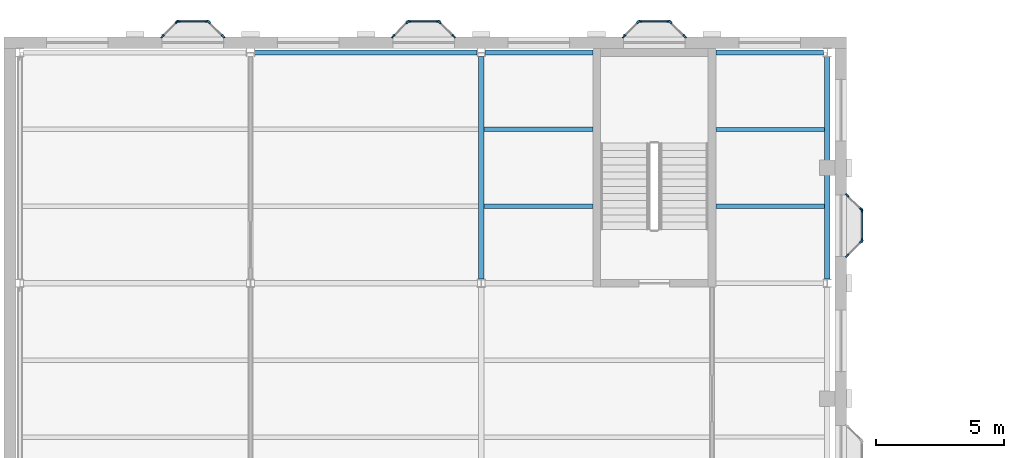
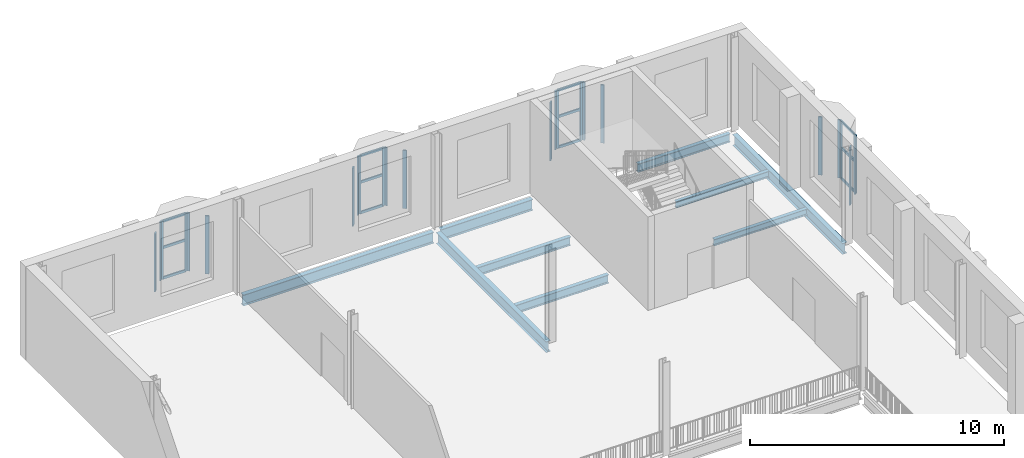
# One storey, part 26 of 74: 36 members, 9 beams, 12 elements without a shape of their own.
"""IFC4 building model written with IfcOpenShell, lengths in metres."""

from ifc_helpers import new_model, si_unit, direction, frame, origin, origin_2d, place, context, subcontext, project, spatial, rectangle, i_section, extrude, material, layer, layer_set, material_profile, profile_set, type_object, element, aggregate, save


model = new_model("IFC4")

# Units and contexts
model_context = context("Model", 3, precision=1e-05, world=origin(), true_north=direction((0.0, 1.0)))
body_context = subcontext(model_context, "Body", "Model", "MODEL_VIEW")
ifc_project = project(units=[si_unit("LENGTHUNIT", "METRE"), si_unit("AREAUNIT", "SQUARE_METRE"), si_unit("VOLUMEUNIT", "CUBIC_METRE"), si_unit("PLANEANGLEUNIT", "RADIAN"), si_unit("MASSUNIT", "GRAM", prefix="KILO")], contexts=[model_context])

# Site, building, storey
site_placement = place(None, origin())
site = spatial("IfcSite", under=ifc_project, at=site_placement, CompositionType="ELEMENT")
building_placement = place(site_placement, origin())
building = spatial("IfcBuilding", under=site, at=building_placement, Name="Hortulan Conservatory and Botanical Research Centre", CompositionType="ELEMENT")
storey_placement = place(building_placement, frame((0.0, 0.0, 6.0)))
storey = spatial("IfcBuildingStorey", under=building, at=storey_placement, Name="L01", CompositionType="ELEMENT", Elevation=6.0)

# Curtain wall, members
ifc_material_1 = material(Name="Bronze-finished aluminium", Category="aluminium")
ifc_layer = layer(ifc_material_1, 0.10009765625)
ifc_layer_set = layer_set([ifc_layer], Name="Oriel Curtain Wall 1350 module")
curtain_wall_type = type_object("IfcCurtainWallType", Name="Oriel Curtain Wall 1350 module", PredefinedType="NOTDEFINED", material=ifc_layer_set)
curtain_wall_1_placement = place(storey_placement, origin())
curtain_wall_1 = element("IfcCurtainWall", 1, at=curtain_wall_1_placement, inside=storey, type_object=curtain_wall_type, Name="Oriel glazing", PredefinedType="NOTDEFINED")
ifc_material_profile_1 = material_profile(ifc_material_1, rectangle(XDim=0.06005859375, YDim=0.159912109375, at=origin_2d()), Name="Bronze Mullion 60x160")
ifc_profile_set_1 = profile_set([ifc_material_profile_1], Name="Bronze-finished aluminium")
member_type_1 = type_object("IfcMemberType", Name="Bronze Mullion 60x160", PredefinedType="MULLION", material=ifc_profile_set_1)
member_1_placement = place(storey_placement, frame((5.5712890625, 72.631591796875, 0.89990234375), z_axis=(0.0, 0.0, 1.0), x_axis=(-0.707106781187, 0.707106781187, 0.0)))
member_1 = element("IfcMember", 2, at=member_1_placement, type_object=member_type_1, Name="CW2 mullion 1", PredefinedType="MULLION", context=body_context, shape_type="SweptSolid", body=[
    extrude(rectangle(XDim=0.06005859375, YDim=0.159912109375, at=origin_2d()), origin(), (0.0, 0.0, 1.0), 2.800048828125),
])
member_2_placement = place(storey_placement, frame((6.12890625, 73.189208984375, 0.89990234375), z_axis=(0.0, 0.0, 1.0), x_axis=(-0.707106781187, 0.707106781187, 0.0)))
member_2 = element("IfcMember", 3, at=member_2_placement, type_object=member_type_1, Name="CW2 mullion 2", PredefinedType="MULLION", context=body_context, shape_type="SweptSolid", body=[
    extrude(rectangle(XDim=0.06005859375, YDim=0.159912109375, at=origin_2d()), origin(), (0.0, 0.0, 1.0), 2.800048828125),
])
aggregate(curtain_wall_1, [member_1, member_2])

curtain_wall_2_placement = place(storey_placement, origin())
curtain_wall_2 = element("IfcCurtainWall", 4, at=curtain_wall_2_placement, inside=storey, type_object=curtain_wall_type, Name="Oriel glazing", PredefinedType="NOTDEFINED")
member_3_placement = place(storey_placement, frame((6.179931640625, 73.21044921875, 0.89990234375), z_axis=(0.0, 0.0, 1.0), x_axis=(0.0, 1.0, 0.0)))
member_3 = element("IfcMember", 5, at=member_3_placement, type_object=member_type_1, Name="CW2 mullion 1", PredefinedType="MULLION", context=body_context, shape_type="SweptSolid", body=[
    extrude(rectangle(XDim=0.06005859375, YDim=0.159912109375, at=origin_2d()), origin(), (0.0, 0.0, 1.0), 2.800048828125),
])
member_4_placement = place(storey_placement, frame((7.320068359375, 73.21044921875, 0.89990234375), z_axis=(0.0, 0.0, 1.0), x_axis=(0.0, 1.0, 0.0)))
member_4 = element("IfcMember", 6, at=member_4_placement, type_object=member_type_1, Name="CW2 mullion 2", PredefinedType="MULLION", context=body_context, shape_type="SweptSolid", body=[
    extrude(rectangle(XDim=0.06005859375, YDim=0.159912109375, at=origin_2d()), origin(), (0.0, 0.0, 1.0), 2.800048828125),
])

curtain_wall_3_placement = place(storey_placement, origin())
curtain_wall_3 = element("IfcCurtainWall", 7, at=curtain_wall_3_placement, inside=storey, type_object=curtain_wall_type, Name="Oriel glazing", PredefinedType="NOTDEFINED")
member_5_placement = place(storey_placement, frame((7.37109375, 73.189208984375, 0.89990234375), z_axis=(0.0, 0.0, 1.0), x_axis=(0.707106781187, 0.707106781187, 0.0)))
member_5 = element("IfcMember", 8, at=member_5_placement, type_object=member_type_1, Name="CW2 mullion 1", PredefinedType="MULLION", context=body_context, shape_type="SweptSolid", body=[
    extrude(rectangle(XDim=0.06005859375, YDim=0.159912109375, at=origin_2d()), origin(), (0.0, 0.0, 1.0), 2.800048828125),
])
member_6_placement = place(storey_placement, frame((7.9287109375, 72.631591796875, 0.89990234375), z_axis=(0.0, 0.0, 1.0), x_axis=(0.707106781187, 0.707106781187, 0.0)))
member_6 = element("IfcMember", 9, at=member_6_placement, type_object=member_type_1, Name="CW2 mullion 2", PredefinedType="MULLION", context=body_context, shape_type="SweptSolid", body=[
    extrude(rectangle(XDim=0.06005859375, YDim=0.159912109375, at=origin_2d()), origin(), (0.0, 0.0, 1.0), 2.800048828125),
])
aggregate(curtain_wall_3, [member_5, member_6])

curtain_wall_4_placement = place(storey_placement, origin())
curtain_wall_4 = element("IfcCurtainWall", 10, at=curtain_wall_4_placement, inside=storey, type_object=curtain_wall_type, Name="Oriel glazing", PredefinedType="NOTDEFINED")
member_7_placement = place(storey_placement, frame((14.5712890625, 72.631591796875, 0.89990234375), z_axis=(0.0, 0.0, 1.0), x_axis=(-0.707106781187, 0.707106781187, 0.0)))
member_7 = element("IfcMember", 11, at=member_7_placement, type_object=member_type_1, Name="CW2 mullion 1", PredefinedType="MULLION", context=body_context, shape_type="SweptSolid", body=[
    extrude(rectangle(XDim=0.06005859375, YDim=0.159912109375, at=origin_2d()), origin(), (0.0, 0.0, 1.0), 2.800048828125),
])
member_8_placement = place(storey_placement, frame((15.12890625, 73.189208984375, 0.89990234375), z_axis=(0.0, 0.0, 1.0), x_axis=(-0.707106781187, 0.707106781187, 0.0)))
member_8 = element("IfcMember", 12, at=member_8_placement, type_object=member_type_1, Name="CW2 mullion 2", PredefinedType="MULLION", context=body_context, shape_type="SweptSolid", body=[
    extrude(rectangle(XDim=0.06005859375, YDim=0.159912109375, at=origin_2d()), origin(), (0.0, 0.0, 1.0), 2.800048828125),
])
aggregate(curtain_wall_4, [member_7, member_8])

curtain_wall_5_placement = place(storey_placement, origin())
curtain_wall_5 = element("IfcCurtainWall", 13, at=curtain_wall_5_placement, inside=storey, type_object=curtain_wall_type, Name="Oriel glazing", PredefinedType="NOTDEFINED")
member_9_placement = place(storey_placement, frame((15.179931640625, 73.21044921875, 0.89990234375), z_axis=(0.0, 0.0, 1.0), x_axis=(0.0, 1.0, 0.0)))
member_9 = element("IfcMember", 14, at=member_9_placement, type_object=member_type_1, Name="CW2 mullion 1", PredefinedType="MULLION", context=body_context, shape_type="SweptSolid", body=[
    extrude(rectangle(XDim=0.06005859375, YDim=0.159912109375, at=origin_2d()), origin(), (0.0, 0.0, 1.0), 2.800048828125),
])
member_10_placement = place(storey_placement, frame((16.320068359375, 73.21044921875, 0.89990234375), z_axis=(0.0, 0.0, 1.0), x_axis=(0.0, 1.0, 0.0)))
member_10 = element("IfcMember", 15, at=member_10_placement, type_object=member_type_1, Name="CW2 mullion 2", PredefinedType="MULLION", context=body_context, shape_type="SweptSolid", body=[
    extrude(rectangle(XDim=0.06005859375, YDim=0.159912109375, at=origin_2d()), origin(), (0.0, 0.0, 1.0), 2.800048828125),
])

curtain_wall_6_placement = place(storey_placement, origin())
curtain_wall_6 = element("IfcCurtainWall", 16, at=curtain_wall_6_placement, inside=storey, type_object=curtain_wall_type, Name="Oriel glazing", PredefinedType="NOTDEFINED")
member_11_placement = place(storey_placement, frame((16.37109375, 73.189208984375, 0.89990234375), z_axis=(0.0, 0.0, 1.0), x_axis=(0.707106781187, 0.707106781187, 0.0)))
member_11 = element("IfcMember", 17, at=member_11_placement, type_object=member_type_1, Name="CW2 mullion 1", PredefinedType="MULLION", context=body_context, shape_type="SweptSolid", body=[
    extrude(rectangle(XDim=0.06005859375, YDim=0.159912109375, at=origin_2d()), origin(), (0.0, 0.0, 1.0), 2.800048828125),
])
member_12_placement = place(storey_placement, frame((16.9287109375, 72.631591796875, 0.89990234375), z_axis=(0.0, 0.0, 1.0), x_axis=(0.707106781187, 0.707106781187, 0.0)))
member_12 = element("IfcMember", 18, at=member_12_placement, type_object=member_type_1, Name="CW2 mullion 2", PredefinedType="MULLION", context=body_context, shape_type="SweptSolid", body=[
    extrude(rectangle(XDim=0.06005859375, YDim=0.159912109375, at=origin_2d()), origin(), (0.0, 0.0, 1.0), 2.800048828125),
])
aggregate(curtain_wall_6, [member_11, member_12])

curtain_wall_7_placement = place(storey_placement, origin())
curtain_wall_7 = element("IfcCurtainWall", 19, at=curtain_wall_7_placement, inside=storey, type_object=curtain_wall_type, Name="Oriel glazing", PredefinedType="NOTDEFINED")
member_13_placement = place(storey_placement, frame((23.5712890625, 72.631591796875, 0.89990234375), z_axis=(0.0, 0.0, 1.0), x_axis=(-0.707106781187, 0.707106781187, 0.0)))
member_13 = element("IfcMember", 20, at=member_13_placement, type_object=member_type_1, Name="CW2 mullion 1", PredefinedType="MULLION", context=body_context, shape_type="SweptSolid", body=[
    extrude(rectangle(XDim=0.06005859375, YDim=0.159912109375, at=origin_2d()), origin(), (0.0, 0.0, 1.0), 2.800048828125),
])
member_14_placement = place(storey_placement, frame((24.12890625, 73.189208984375, 0.89990234375), z_axis=(0.0, 0.0, 1.0), x_axis=(-0.707106781187, 0.707106781187, 0.0)))
member_14 = element("IfcMember", 21, at=member_14_placement, type_object=member_type_1, Name="CW2 mullion 2", PredefinedType="MULLION", context=body_context, shape_type="SweptSolid", body=[
    extrude(rectangle(XDim=0.06005859375, YDim=0.159912109375, at=origin_2d()), origin(), (0.0, 0.0, 1.0), 2.800048828125),
])
aggregate(curtain_wall_7, [member_13, member_14])

curtain_wall_8_placement = place(storey_placement, origin())
curtain_wall_8 = element("IfcCurtainWall", 22, at=curtain_wall_8_placement, inside=storey, type_object=curtain_wall_type, Name="Oriel glazing", PredefinedType="NOTDEFINED")
member_15_placement = place(storey_placement, frame((24.179931640625, 73.21044921875, 0.89990234375), z_axis=(0.0, 0.0, 1.0), x_axis=(0.0, 1.0, 0.0)))
member_15 = element("IfcMember", 23, at=member_15_placement, type_object=member_type_1, Name="CW2 mullion 1", PredefinedType="MULLION", context=body_context, shape_type="SweptSolid", body=[
    extrude(rectangle(XDim=0.06005859375, YDim=0.159912109375, at=origin_2d()), origin(), (0.0, 0.0, 1.0), 2.800048828125),
])
member_16_placement = place(storey_placement, frame((25.320068359375, 73.21044921875, 0.89990234375), z_axis=(0.0, 0.0, 1.0), x_axis=(0.0, 1.0, 0.0)))
member_16 = element("IfcMember", 24, at=member_16_placement, type_object=member_type_1, Name="CW2 mullion 2", PredefinedType="MULLION", context=body_context, shape_type="SweptSolid", body=[
    extrude(rectangle(XDim=0.06005859375, YDim=0.159912109375, at=origin_2d()), origin(), (0.0, 0.0, 1.0), 2.800048828125),
])

curtain_wall_9_placement = place(storey_placement, origin())
curtain_wall_9 = element("IfcCurtainWall", 25, at=curtain_wall_9_placement, inside=storey, type_object=curtain_wall_type, Name="Oriel glazing", PredefinedType="NOTDEFINED")
member_17_placement = place(storey_placement, frame((25.37109375, 73.189208984375, 0.89990234375), z_axis=(0.0, 0.0, 1.0), x_axis=(0.707106781187, 0.707106781187, 0.0)))
member_17 = element("IfcMember", 26, at=member_17_placement, type_object=member_type_1, Name="CW2 mullion 1", PredefinedType="MULLION", context=body_context, shape_type="SweptSolid", body=[
    extrude(rectangle(XDim=0.06005859375, YDim=0.159912109375, at=origin_2d()), origin(), (0.0, 0.0, 1.0), 2.800048828125),
])
member_18_placement = place(storey_placement, frame((25.9287109375, 72.631591796875, 0.89990234375), z_axis=(0.0, 0.0, 1.0), x_axis=(0.707106781187, 0.707106781187, 0.0)))
member_18 = element("IfcMember", 27, at=member_18_placement, type_object=member_type_1, Name="CW2 mullion 2", PredefinedType="MULLION", context=body_context, shape_type="SweptSolid", body=[
    extrude(rectangle(XDim=0.06005859375, YDim=0.159912109375, at=origin_2d()), origin(), (0.0, 0.0, 1.0), 2.800048828125),
])
aggregate(curtain_wall_9, [member_17, member_18])

curtain_wall_10_placement = place(storey_placement, origin())
curtain_wall_10 = element("IfcCurtainWall", 28, at=curtain_wall_10_placement, inside=storey, type_object=curtain_wall_type, Name="Oriel glazing", PredefinedType="NOTDEFINED")
member_19_placement = place(storey_placement, frame((32.271240234375, 66.4287109375, 0.89990234375), z_axis=(0.0, 0.0, 1.0), x_axis=(0.707106781187, 0.707106781187, 0.0)))
member_19 = element("IfcMember", 29, at=member_19_placement, type_object=member_type_1, Name="CW2 mullion 1", PredefinedType="MULLION", context=body_context, shape_type="SweptSolid", body=[
    extrude(rectangle(XDim=0.06005859375, YDim=0.159912109375, at=origin_2d()), origin(), (0.0, 0.0, 1.0), 2.800048828125),
])
member_20_placement = place(storey_placement, frame((32.828857421875, 65.87109375, 0.89990234375), z_axis=(0.0, 0.0, 1.0), x_axis=(0.707106781187, 0.707106781187, 0.0)))
member_20 = element("IfcMember", 30, at=member_20_placement, type_object=member_type_1, Name="CW2 mullion 2", PredefinedType="MULLION", context=body_context, shape_type="SweptSolid", body=[
    extrude(rectangle(XDim=0.06005859375, YDim=0.159912109375, at=origin_2d()), origin(), (0.0, 0.0, 1.0), 2.800048828125),
])
aggregate(curtain_wall_10, [member_19, member_20])

curtain_wall_11_placement = place(storey_placement, origin())
curtain_wall_11 = element("IfcCurtainWall", 31, at=curtain_wall_11_placement, inside=storey, type_object=curtain_wall_type, Name="Oriel glazing", PredefinedType="NOTDEFINED")
member_21_placement = place(storey_placement, frame((32.85009765625, 65.820068359375, 0.89990234375), z_axis=(0.0, 0.0, 1.0), x_axis=(1.0, 0.0, 0.0)))
member_21 = element("IfcMember", 32, at=member_21_placement, type_object=member_type_1, Name="CW2 mullion 1", PredefinedType="MULLION", context=body_context, shape_type="SweptSolid", body=[
    extrude(rectangle(XDim=0.06005859375, YDim=0.159912109375, at=origin_2d()), origin(), (0.0, 0.0, 1.0), 2.800048828125),
])
member_22_placement = place(storey_placement, frame((32.85009765625, 64.679931640625, 0.89990234375), z_axis=(0.0, 0.0, 1.0), x_axis=(1.0, 0.0, 0.0)))
member_22 = element("IfcMember", 33, at=member_22_placement, type_object=member_type_1, Name="CW2 mullion 2", PredefinedType="MULLION", context=body_context, shape_type="SweptSolid", body=[
    extrude(rectangle(XDim=0.06005859375, YDim=0.159912109375, at=origin_2d()), origin(), (0.0, 0.0, 1.0), 2.800048828125),
])

curtain_wall_12_placement = place(storey_placement, origin())
curtain_wall_12 = element("IfcCurtainWall", 34, at=curtain_wall_12_placement, inside=storey, type_object=curtain_wall_type, Name="Oriel glazing", PredefinedType="NOTDEFINED")
member_23_placement = place(storey_placement, frame((32.828857421875, 64.62890625, 0.89990234375), z_axis=(0.0, 0.0, 1.0), x_axis=(0.707106781187, -0.707106781187, 0.0)))
member_23 = element("IfcMember", 35, at=member_23_placement, type_object=member_type_1, Name="CW2 mullion 1", PredefinedType="MULLION", context=body_context, shape_type="SweptSolid", body=[
    extrude(rectangle(XDim=0.06005859375, YDim=0.159912109375, at=origin_2d()), origin(), (0.0, 0.0, 1.0), 2.800048828125),
])
member_24_placement = place(storey_placement, frame((32.271240234375, 64.0712890625, 0.89990234375), z_axis=(0.0, 0.0, 1.0), x_axis=(0.707106781187, -0.707106781187, 0.0)))
member_24 = element("IfcMember", 36, at=member_24_placement, type_object=member_type_1, Name="CW2 mullion 2", PredefinedType="MULLION", context=body_context, shape_type="SweptSolid", body=[
    extrude(rectangle(XDim=0.06005859375, YDim=0.159912109375, at=origin_2d()), origin(), (0.0, 0.0, 1.0), 2.800048828125),
])
aggregate(curtain_wall_12, [member_23, member_24])

# Member
ifc_material_profile_2 = material_profile(ifc_material_1, rectangle(XDim=0.06005859375, YDim=0.1201171875, at=origin_2d()), Name="Bronze Transom 60x120")
ifc_profile_set_2 = profile_set([ifc_material_profile_2], Name="Bronze-finished aluminium")
member_type_2 = type_object("IfcMemberType", Name="Bronze Transom 60x120", PredefinedType="USERDEFINED", material=ifc_profile_set_2)
member_25_placement = place(storey_placement, frame((6.2099609375, 73.21044921875, 0.929931640625), z_axis=(1.0, 0.0, 0.0), x_axis=(0.0, 1.0, 0.0)))
member_25 = element("IfcMember", 37, at=member_25_placement, type_object=member_type_2, Name="CW2 transom 1.1", ObjectType="TRANSOM", PredefinedType="USERDEFINED", context=body_context, shape_type="SweptSolid", body=[
    extrude(rectangle(XDim=0.06005859375, YDim=0.1201171875, at=origin_2d()), origin(), (0.0, 0.0, 1.0), 1.080078125),
])

member_26_placement = place(storey_placement, frame((6.2099609375, 73.21044921875, 2.39990234375), z_axis=(1.0, 0.0, 0.0), x_axis=(0.0, 1.0, 0.0)))
member_26 = element("IfcMember", 38, at=member_26_placement, type_object=member_type_2, Name="CW2 transom 1.2", ObjectType="TRANSOM", PredefinedType="USERDEFINED", context=body_context, shape_type="SweptSolid", body=[
    extrude(rectangle(XDim=0.06005859375, YDim=0.1201171875, at=origin_2d()), origin(), (0.0, 0.0, 1.0), 1.080078125),
])

member_27_placement = place(storey_placement, frame((6.2099609375, 73.21044921875, 3.669921875), z_axis=(1.0, 0.0, 0.0), x_axis=(0.0, 1.0, 0.0)))
member_27 = element("IfcMember", 39, at=member_27_placement, type_object=member_type_2, Name="CW2 transom 1.3", ObjectType="TRANSOM", PredefinedType="USERDEFINED", context=body_context, shape_type="SweptSolid", body=[
    extrude(rectangle(XDim=0.06005859375, YDim=0.1201171875, at=origin_2d()), origin(), (0.0, 0.0, 1.0), 1.080078125),
])

aggregate(curtain_wall_2, [member_3, member_4, member_25, member_26, member_27])

member_28_placement = place(storey_placement, frame((15.2099609375, 73.21044921875, 0.929931640625), z_axis=(1.0, 0.0, 0.0), x_axis=(0.0, 1.0, 0.0)))
member_28 = element("IfcMember", 40, at=member_28_placement, type_object=member_type_2, Name="CW2 transom 1.1", ObjectType="TRANSOM", PredefinedType="USERDEFINED", context=body_context, shape_type="SweptSolid", body=[
    extrude(rectangle(XDim=0.06005859375, YDim=0.1201171875, at=origin_2d()), origin(), (0.0, 0.0, 1.0), 1.080078125),
])

member_29_placement = place(storey_placement, frame((15.2099609375, 73.21044921875, 2.39990234375), z_axis=(1.0, 0.0, 0.0), x_axis=(0.0, 1.0, 0.0)))
member_29 = element("IfcMember", 41, at=member_29_placement, type_object=member_type_2, Name="CW2 transom 1.2", ObjectType="TRANSOM", PredefinedType="USERDEFINED", context=body_context, shape_type="SweptSolid", body=[
    extrude(rectangle(XDim=0.06005859375, YDim=0.1201171875, at=origin_2d()), origin(), (0.0, 0.0, 1.0), 1.080078125),
])

member_30_placement = place(storey_placement, frame((15.2099609375, 73.21044921875, 3.669921875), z_axis=(1.0, 0.0, 0.0), x_axis=(0.0, 1.0, 0.0)))
member_30 = element("IfcMember", 42, at=member_30_placement, type_object=member_type_2, Name="CW2 transom 1.3", ObjectType="TRANSOM", PredefinedType="USERDEFINED", context=body_context, shape_type="SweptSolid", body=[
    extrude(rectangle(XDim=0.06005859375, YDim=0.1201171875, at=origin_2d()), origin(), (0.0, 0.0, 1.0), 1.080078125),
])

aggregate(curtain_wall_5, [member_9, member_10, member_28, member_29, member_30])

member_31_placement = place(storey_placement, frame((24.2099609375, 73.21044921875, 0.929931640625), z_axis=(1.0, 0.0, 0.0), x_axis=(0.0, 1.0, 0.0)))
member_31 = element("IfcMember", 43, at=member_31_placement, type_object=member_type_2, Name="CW2 transom 1.1", ObjectType="TRANSOM", PredefinedType="USERDEFINED", context=body_context, shape_type="SweptSolid", body=[
    extrude(rectangle(XDim=0.06005859375, YDim=0.1201171875, at=origin_2d()), origin(), (0.0, 0.0, 1.0), 1.080078125),
])

member_32_placement = place(storey_placement, frame((24.2099609375, 73.21044921875, 2.39990234375), z_axis=(1.0, 0.0, 0.0), x_axis=(0.0, 1.0, 0.0)))
member_32 = element("IfcMember", 44, at=member_32_placement, type_object=member_type_2, Name="CW2 transom 1.2", ObjectType="TRANSOM", PredefinedType="USERDEFINED", context=body_context, shape_type="SweptSolid", body=[
    extrude(rectangle(XDim=0.06005859375, YDim=0.1201171875, at=origin_2d()), origin(), (0.0, 0.0, 1.0), 1.080078125),
])

member_33_placement = place(storey_placement, frame((24.2099609375, 73.21044921875, 3.669921875), z_axis=(1.0, 0.0, 0.0), x_axis=(0.0, 1.0, 0.0)))
member_33 = element("IfcMember", 45, at=member_33_placement, type_object=member_type_2, Name="CW2 transom 1.3", ObjectType="TRANSOM", PredefinedType="USERDEFINED", context=body_context, shape_type="SweptSolid", body=[
    extrude(rectangle(XDim=0.06005859375, YDim=0.1201171875, at=origin_2d()), origin(), (0.0, 0.0, 1.0), 1.080078125),
])

aggregate(curtain_wall_8, [member_15, member_16, member_31, member_32, member_33])

member_34_placement = place(storey_placement, frame((32.85009765625, 65.7900390625, 0.929931640625), z_axis=(0.0, -1.0, 0.0), x_axis=(1.0, 0.0, 0.0)))
member_34 = element("IfcMember", 46, at=member_34_placement, type_object=member_type_2, Name="CW2 transom 1.1", ObjectType="TRANSOM", PredefinedType="USERDEFINED", context=body_context, shape_type="SweptSolid", body=[
    extrude(rectangle(XDim=0.06005859375, YDim=0.1201171875, at=origin_2d()), origin(), (0.0, 0.0, 1.0), 1.080078125),
])

member_35_placement = place(storey_placement, frame((32.85009765625, 65.7900390625, 2.39990234375), z_axis=(0.0, -1.0, 0.0), x_axis=(1.0, 0.0, 0.0)))
member_35 = element("IfcMember", 47, at=member_35_placement, type_object=member_type_2, Name="CW2 transom 1.2", ObjectType="TRANSOM", PredefinedType="USERDEFINED", context=body_context, shape_type="SweptSolid", body=[
    extrude(rectangle(XDim=0.06005859375, YDim=0.1201171875, at=origin_2d()), origin(), (0.0, 0.0, 1.0), 1.080078125),
])

member_36_placement = place(storey_placement, frame((32.85009765625, 65.7900390625, 3.669921875), z_axis=(0.0, -1.0, 0.0), x_axis=(1.0, 0.0, 0.0)))
member_36 = element("IfcMember", 48, at=member_36_placement, type_object=member_type_2, Name="CW2 transom 1.3", ObjectType="TRANSOM", PredefinedType="USERDEFINED", context=body_context, shape_type="SweptSolid", body=[
    extrude(rectangle(XDim=0.06005859375, YDim=0.1201171875, at=origin_2d()), origin(), (0.0, 0.0, 1.0), 1.080078125),
])

aggregate(curtain_wall_11, [member_21, member_22, member_34, member_35, member_36])

# Beams
ifc_material_2 = material(Name="Steel Grade 300PLUS (AS/NZS 3679.1, 280 MPa minimum yield)", Category="steel")
ifc_material_profile_3 = material_profile(ifc_material_2, i_section(OverallWidth=0.177978515625, OverallDepth=0.403076171875, WebThickness=0.007568359375, FlangeThickness=0.010986328125, FilletRadius=0.011474609375, at=origin_2d()), Name="410UB53.7")
ifc_profile_set_3 = profile_set([ifc_material_profile_3], Name="Steel Grade 300PLUS (AS/NZS 3679.1, 280 MPa minimum yield)")
beam_type_1 = type_object("IfcBeamType", Name="Primary Beam 410UB53.7", PredefinedType="BEAM", material=ifc_profile_set_3)
beam_1_placement = place(storey_placement, frame((27.14990234375, 72.0, -0.33154296875), z_axis=(1.0, 0.0, 0.0), x_axis=(0.0, 1.0, 0.0)))
element("IfcBeam", 49, at=beam_1_placement, inside=storey, type_object=beam_type_1, Name="410UB53.7 girder", PredefinedType="BEAM", context=body_context, shape_type="SweptSolid", body=[
    extrude(i_section(OverallWidth=0.177978515625, OverallDepth=0.403076171875, WebThickness=0.007568359375, FlangeThickness=0.010986328125, FilletRadius=0.011474609375, at=origin_2d()), origin(), (0.0, 0.0, 1.0), 4.195556640625),
])
ifc_material_profile_4 = material_profile(ifc_material_2, i_section(OverallWidth=0.208984375, OverallDepth=0.528076171875, WebThickness=0.009521484375, FlangeThickness=0.01318359375, FilletRadius=0.013916015625, at=origin_2d()), Name="530UB82.0")
ifc_profile_set_4 = profile_set([ifc_material_profile_4], Name="Steel Grade 300PLUS (AS/NZS 3679.1, 280 MPa minimum yield)")
beam_type_2 = type_object("IfcBeamType", Name="Primary Beam 530UB82.0", PredefinedType="BEAM", material=ifc_profile_set_4)
beam_2_placement = place(storey_placement, frame((9.160400390625, 72.0, -0.39404296875), z_axis=(1.0, 0.0, 0.0), x_axis=(0.0, 1.0, 0.0)))
element("IfcBeam", 50, at=beam_2_placement, inside=storey, type_object=beam_type_2, Name="530UB82.0 girder", PredefinedType="BEAM", context=body_context, shape_type="SweptSolid", body=[
    extrude(i_section(OverallWidth=0.208984375, OverallDepth=0.528076171875, WebThickness=0.009521484375, FlangeThickness=0.01318359375, FilletRadius=0.013916015625, at=origin_2d()), origin(), (0.0, 0.0, 1.0), 8.67919921875),
])
beam_3_placement = place(storey_placement, frame((18.160400390625, 72.0, -0.39404296875), z_axis=(1.0, 0.0, 0.0), x_axis=(0.0, 1.0, 0.0)))
element("IfcBeam", 51, at=beam_3_placement, inside=storey, type_object=beam_type_2, Name="530UB82.0 girder", PredefinedType="BEAM", context=body_context, shape_type="SweptSolid", body=[
    extrude(i_section(OverallWidth=0.208984375, OverallDepth=0.528076171875, WebThickness=0.009521484375, FlangeThickness=0.01318359375, FilletRadius=0.013916015625, at=origin_2d()), origin(), (0.0, 0.0, 1.0), 4.189697265625),
])
beam_4_placement = place(storey_placement, frame((31.5, 63.160400390625, -0.39404296875), z_axis=(0.0, 1.0, 0.0), x_axis=(-1.0, 0.0, 0.0)))
element("IfcBeam", 52, at=beam_4_placement, inside=storey, type_object=beam_type_2, Name="530UB82.0 girder", PredefinedType="BEAM", context=body_context, shape_type="SweptSolid", body=[
    extrude(i_section(OverallWidth=0.208984375, OverallDepth=0.528076171875, WebThickness=0.009521484375, FlangeThickness=0.01318359375, FilletRadius=0.013916015625, at=origin_2d()), origin(), (0.0, 0.0, 1.0), 8.67919921875),
])
ifc_material_profile_5 = material_profile(ifc_material_2, i_section(OverallWidth=0.208984375, OverallDepth=0.532958984375, WebThickness=0.01025390625, FlangeThickness=0.015625, FilletRadius=0.013916015625, at=origin_2d()), Name="530UB92.4")
ifc_profile_set_5 = profile_set([ifc_material_profile_5], Name="Steel Grade 300PLUS (AS/NZS 3679.1, 280 MPa minimum yield)")
beam_type_3 = type_object("IfcBeamType", Name="Primary Beam 530UB92.4", PredefinedType="BEAM", material=ifc_profile_set_5)
beam_5_placement = place(storey_placement, frame((18.0, 63.160400390625, -0.396484375), z_axis=(0.0, 1.0, 0.0), x_axis=(-1.0, 0.0, 0.0)))
element("IfcBeam", 53, at=beam_5_placement, inside=storey, type_object=beam_type_3, Name="530UB92.4 girder", PredefinedType="BEAM", context=body_context, shape_type="SweptSolid", body=[
    extrude(i_section(OverallWidth=0.208984375, OverallDepth=0.532958984375, WebThickness=0.01025390625, FlangeThickness=0.015625, FilletRadius=0.013916015625, at=origin_2d()), origin(), (0.0, 0.0, 1.0), 8.68505859375),
])
ifc_material_profile_6 = material_profile(ifc_material_2, i_section(OverallWidth=0.1650390625, OverallDepth=0.303955078125, WebThickness=0.006103515625, FlangeThickness=0.01025390625, FilletRadius=0.011474609375, at=origin_2d()), Name="310UB40.4")
ifc_profile_set_6 = profile_set([ifc_material_profile_6], Name="Steel Grade 300PLUS (AS/NZS 3679.1, 280 MPa minimum yield)")
beam_type_4 = type_object("IfcBeamType", Name="Secondary Beam 310UB40.4", PredefinedType="JOIST", material=ifc_profile_set_6)
for number, where, z_axis, x_axis, name in (
    (54, (27.14990234375, 66.0, -0.281982421875), (1.0, 0.0, 0.0), (0.0, 1.0, 0.0), "310UB40.4 secondary beam"),
    (55, (27.14990234375, 69.0, -0.281982421875), (1.0, 0.0, 0.0), (0.0, 1.0, 0.0), "310UB40.4 secondary beam"),
):
    element("IfcBeam", number, at=place(storey_placement, frame(where, z_axis=z_axis, x_axis=x_axis)), inside=storey, type_object=beam_type_4, Name=name, PredefinedType="JOIST", context=body_context, shape_type="SweptSolid", body=[
        extrude(i_section(OverallWidth=0.1650390625, OverallDepth=0.303955078125, WebThickness=0.006103515625, FlangeThickness=0.01025390625, FilletRadius=0.011474609375, at=origin_2d()), origin(), (0.0, 0.0, 1.0), 4.24560546875),
    ])
ifc_material_profile_7 = material_profile(ifc_material_2, i_section(OverallWidth=0.177978515625, OverallDepth=0.406005859375, WebThickness=0.0078125, FlangeThickness=0.0126953125, FilletRadius=0.011474609375, at=origin_2d()), Name="410UB59.7")
ifc_profile_set_7 = profile_set([ifc_material_profile_7], Name="Steel Grade 300PLUS (AS/NZS 3679.1, 280 MPa minimum yield)")
beam_type_5 = type_object("IfcBeamType", Name="Secondary Beam 410UB59.7", PredefinedType="JOIST", material=ifc_profile_set_7)
for number, where, z_axis, x_axis, name in (
    (56, (18.1044921875, 66.0, -0.3330078125), (1.0, 0.0, 0.0), (0.0, 1.0, 0.0), "410UB59.7 secondary beam"),
    (57, (18.1044921875, 69.0, -0.3330078125), (1.0, 0.0, 0.0), (0.0, 1.0, 0.0), "410UB59.7 secondary beam"),
):
    element("IfcBeam", number, at=place(storey_placement, frame(where, z_axis=z_axis, x_axis=x_axis)), inside=storey, type_object=beam_type_5, Name=name, PredefinedType="JOIST", context=body_context, shape_type="SweptSolid", body=[
        extrude(i_section(OverallWidth=0.177978515625, OverallDepth=0.406005859375, WebThickness=0.0078125, FlangeThickness=0.0126953125, FilletRadius=0.011474609375, at=origin_2d()), origin(), (0.0, 0.0, 1.0), 4.24560546875),
    ])

save(model, "model.ifc")
